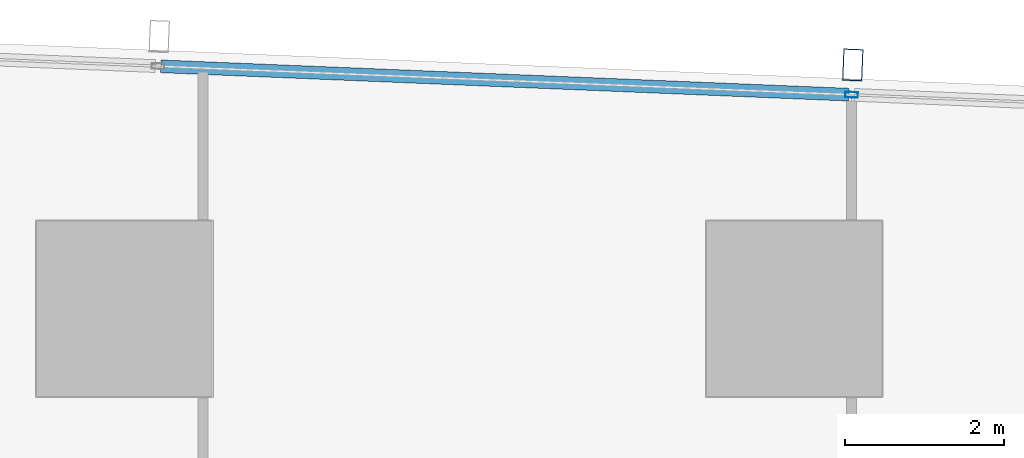
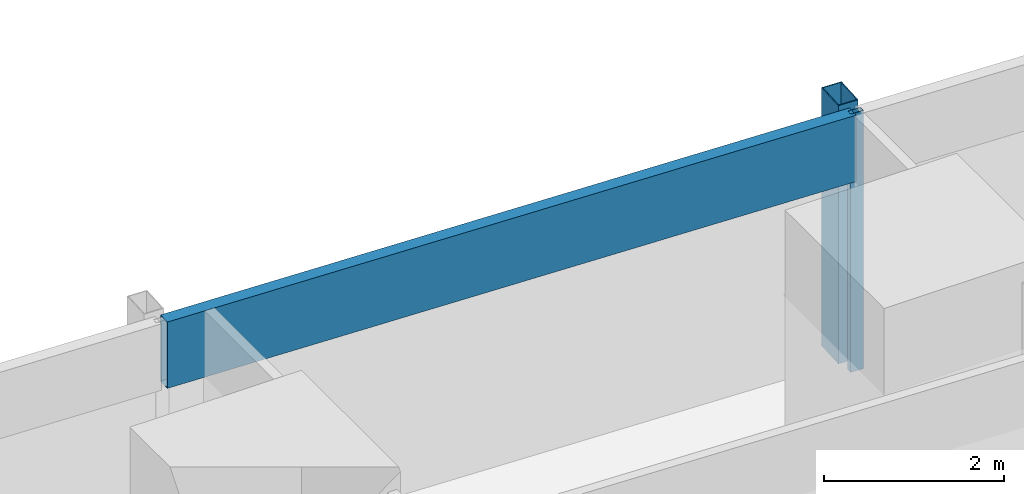
# One storey, part 21 of 44: 3 members, 1 element without a shape of its own.
"""IFC4 building model written with IfcOpenShell, lengths in metres."""

from ifc_helpers import new_model, si_unit, direction, frame, origin, origin_2d, place, context, subcontext, project, spatial, hollow_rectangle, extrude, material, material_profile, profile_set, type_object, element, aggregate, save


model = new_model("IFC4")

# Units and contexts
model_context = context("Model", 3, precision=1e-05, world=origin(), true_north=direction((0.0, 1.0)))
body_context = subcontext(model_context, "Body", "Model", "MODEL_VIEW")
ifc_project = project(units=[si_unit("LENGTHUNIT", "METRE"), si_unit("AREAUNIT", "SQUARE_METRE"), si_unit("VOLUMEUNIT", "CUBIC_METRE"), si_unit("PLANEANGLEUNIT", "RADIAN"), si_unit("MASSUNIT", "GRAM", prefix="KILO")], contexts=[model_context])

# Site, building, storey
site_placement = place(None, origin())
site = spatial("IfcSite", under=ifc_project, at=site_placement, CompositionType="ELEMENT")
building_placement = place(site_placement, origin())
building = spatial("IfcBuilding", under=site, at=building_placement, Name="Rekha Terrace Tower", CompositionType="ELEMENT")
storey_placement = place(building_placement, frame((0.0, 0.0, 59.14990234375)))
storey = spatial("IfcBuildingStorey", under=building, at=storey_placement, Name="L14", CompositionType="ELEMENT", Elevation=59.14990234375)

# Curtain wall, members
ifc_material_1 = material(Name="Aluminium framing", Category="aluminium")
curtain_wall_type = type_object("IfcCurtainWallType", Name="CW3 north unitised glazing", PredefinedType="USERDEFINED", material=ifc_material_1)
curtain_wall_placement = place(storey_placement, origin())
curtain_wall = element("IfcCurtainWall", 1, at=curtain_wall_placement, inside=storey, type_object=curtain_wall_type, Name="CW3 unitised curtain wall", ObjectType="UNITISED CURTAIN WALL", PredefinedType="USERDEFINED")
ifc_material_2 = material(Name="Steel S355 with fluorocarbon finish", Category="steel")
ifc_material_profile_1 = material_profile(ifc_material_2, hollow_rectangle(XDim=0.25, YDim=0.39990234375, WallThickness=0.012451171875, at=origin_2d()), Name="RHS400x250x12.5")
ifc_profile_set_1 = profile_set([ifc_material_profile_1], Name="Steel S355 with fluorocarbon finish")
member_type_1 = type_object("IfcMemberType", Name="BL1 facade blade RHS 400 x 250", PredefinedType="USERDEFINED", material=ifc_profile_set_1)
member_1_placement = place(storey_placement, frame((42.73388671875, 61.857421875, 0.0), z_axis=(0.0, 0.0, 1.0), x_axis=(-0.99915196507, 0.041174636562, 0.0)))
member_1 = element("IfcMember", 2, at=member_1_placement, type_object=member_type_1, Name="Facade blade", ObjectType="FACADE BLADE", PredefinedType="USERDEFINED", context=body_context, shape_type="SweptSolid", body=[
    extrude(hollow_rectangle(XDim=0.25, YDim=0.39990234375, WallThickness=0.012451171875, at=origin_2d()), origin(), (0.0, 0.0, 1.0), 3.5),
])
ifc_material_3 = material(Name="Aluminium mullion section", Category="aluminium")
ifc_material_profile_2 = material_profile(ifc_material_3, hollow_rectangle(XDim=0.070068359375, YDim=0.159912109375, WallThickness=0.00390625, at=origin_2d()), Name="AL RHS 70x160")
ifc_profile_set_2 = profile_set([ifc_material_profile_2], Name="Aluminium mullion section")
member_type_2 = type_object("IfcMemberType", Name="CW3 mullion RHS 70 x 160", PredefinedType="MULLION", material=ifc_profile_set_2)
member_2_placement = place(storey_placement, frame((42.718505859375, 61.48291015625, 0.0), z_axis=(0.0, 0.0, 1.0), x_axis=(-0.041173846041, -0.999151997647, 0.0)))
member_2 = element("IfcMember", 3, at=member_2_placement, type_object=member_type_2, Name="CW3 mullion 4", PredefinedType="MULLION", context=body_context, shape_type="SweptSolid", body=[
    extrude(hollow_rectangle(XDim=0.070068359375, YDim=0.159912109375, WallThickness=0.00390625, at=origin_2d()), origin(), (0.0, 0.0, 1.0), 3.5),
])
ifc_material_4 = material(Name="Insulated aluminium spandrel box", Category="aluminium")
ifc_material_profile_3 = material_profile(ifc_material_4, hollow_rectangle(XDim=0.159912109375, YDim=0.89990234375, WallThickness=0.0029296875, at=origin_2d()), Name="AL SPANDREL BOX 160x900")
ifc_profile_set_3 = profile_set([ifc_material_profile_3], Name="Insulated aluminium spandrel box")
member_type_3 = type_object("IfcMemberType", Name="CW3 spandrel transom 160 x 900", PredefinedType="USERDEFINED", material=ifc_profile_set_3)
member_3_placement = place(storey_placement, frame((42.68359375, 61.484375, 3.050048828125), z_axis=(-0.999152128669, 0.041170666459, 0.0), x_axis=(-0.041170666459, -0.999152128669, 0.0)))
member_3 = element("IfcMember", 4, at=member_3_placement, type_object=member_type_3, Name="CW3 spandrel transom 4", ObjectType="TRANSOM", PredefinedType="USERDEFINED", context=body_context, shape_type="SweptSolid", body=[
    extrude(hollow_rectangle(XDim=0.159912109375, YDim=0.89990234375, WallThickness=0.0029296875, at=origin_2d()), origin(), (0.0, 0.0, 1.0), 8.634033203125),
])
aggregate(curtain_wall, [member_2, member_3, member_1])

save(model, "model.ifc")
